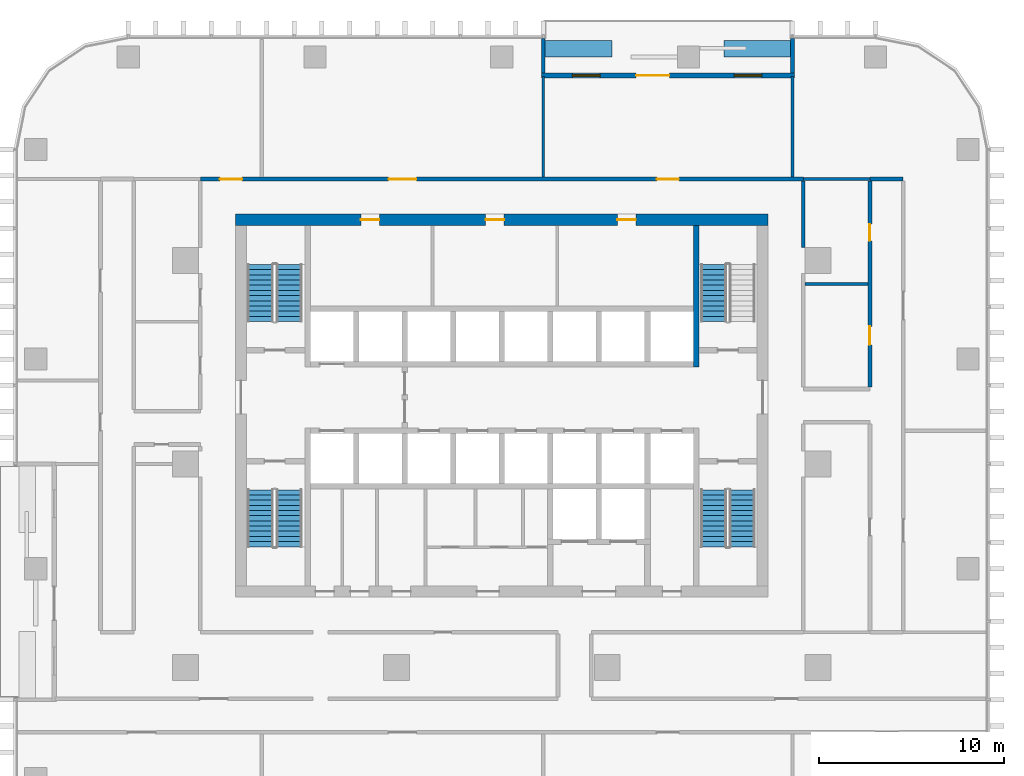
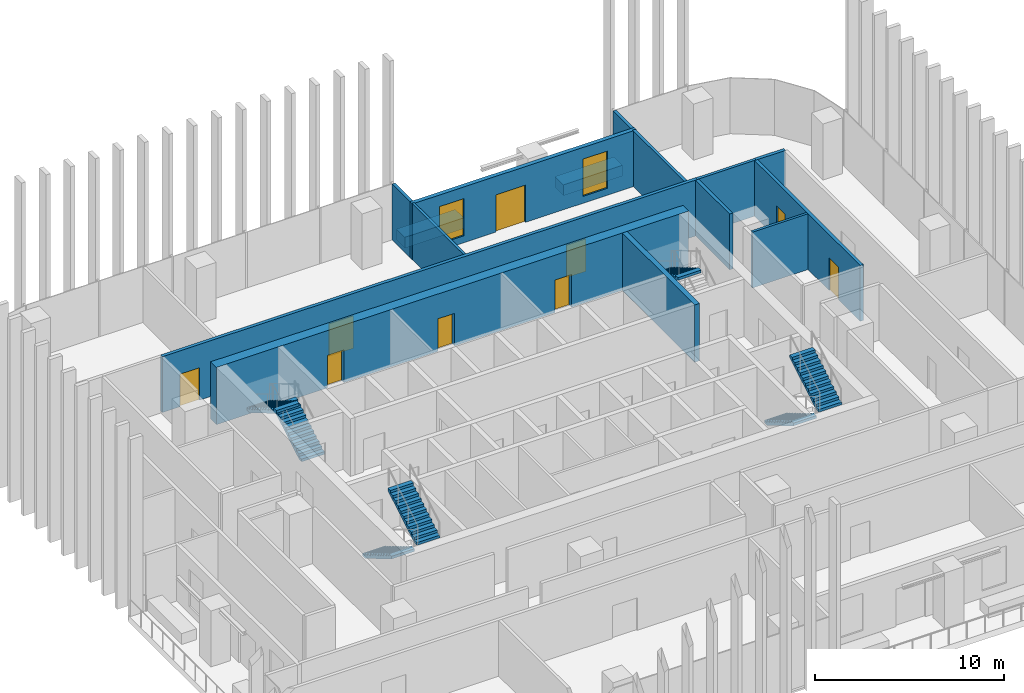
# One storey, part 10 of 16: 15 walls, 9 doors, 7 stair flights, 2 windows, 11 openings, 4 elements without a shape of their own.
"""IFC4 building model written with IfcOpenShell, lengths in metres."""

from ifc_helpers import new_model, si_unit, direction, frame, frame_2d, origin, place, context, subcontext, project, spatial, polyline, rectangle, outline, extrude, material, layer, layer_set, type_object, element, fill, aggregate, save


model = new_model("IFC4")

# Units and contexts
model_context = context("Model", 3, precision=1e-05, world=origin(), true_north=direction((0.0, 1.0)))
body_context = subcontext(model_context, "Body", "Model", "MODEL_VIEW")
ifc_project = project(units=[si_unit("LENGTHUNIT", "METRE"), si_unit("AREAUNIT", "SQUARE_METRE"), si_unit("VOLUMEUNIT", "CUBIC_METRE"), si_unit("PLANEANGLEUNIT", "RADIAN"), si_unit("MASSUNIT", "GRAM", prefix="KILO")], contexts=[model_context])

# Site, building, storey
site_placement = place(None, origin())
site = spatial("IfcSite", under=ifc_project, at=site_placement, CompositionType="ELEMENT")
building_placement = place(site_placement, origin())
building = spatial("IfcBuilding", under=site, at=building_placement, Name="Mopane Tessera Tower", CompositionType="ELEMENT")
storey_placement = place(building_placement, frame((0.0, 0.0, 193.0)))
storey = spatial("IfcBuildingStorey", under=building, at=storey_placement, Name="L40", CompositionType="ELEMENT", Elevation=193.0)

# Wall, openings, doors
ifc_material_1 = material(Name="Concrete C70/85", Category="concrete")
ifc_layer_1 = layer(ifc_material_1, 0.60009765625)
ifc_layer_set_1 = layer_set([ifc_layer_1], Name="Concrete C70/85")
wall_type_1 = type_object("IfcWallType", Name="Core shear wall 600 mm", PredefinedType="SHEAR", material=ifc_layer_set_1)
wall_1_placement = place(storey_placement, frame((-14.39990234375, 13.199951171875, 0.0), z_axis=(0.0, 0.0, 1.0), x_axis=(1.0, 0.0, 0.0)))
wall_1 = element("IfcWall", 1, at=wall_1_placement, inside=storey, type_object=wall_type_1, Name="L40 Core wall north", PredefinedType="SHEAR", context=body_context, shape_type="SweptSolid", body=[
    extrude(rectangle(XDim=28.7998046875, YDim=0.60009765625, at=frame_2d((14.39990234375, 0.0))), origin(), (0.0, 0.0, 1.0), 3.699951171875),
])
opening_1_placement = place(wall_1_placement, frame((6.77490234375, 0.0, 0.0)))
opening_1 = element("IfcOpeningElement", 2, at=opening_1_placement, cuts=wall_1, Name="Opening RD1", PredefinedType="OPENING", context=body_context, shape_type="SweptSolid", body=[
    extrude(rectangle(XDim=1.0, YDim=2.10009765625, at=frame_2d((0.5, 1.050048828125))), frame((0.0, 0.31201171875, 0.0), z_axis=(0.0, -1.0, 0.0), x_axis=(1.0, 0.0, 0.0)), (0.0, 0.0, 1.0), 0.6240234375),
])
opening_2_placement = place(wall_1_placement, frame((13.52490234375, 0.0, 0.0)))
opening_2 = element("IfcOpeningElement", 3, at=opening_2_placement, cuts=wall_1, Name="Opening RD1", PredefinedType="OPENING", context=body_context, shape_type="SweptSolid", body=[
    extrude(rectangle(XDim=1.0, YDim=2.10009765625, at=frame_2d((0.5, 1.050048828125))), frame((0.0, 0.31201171875, 0.0), z_axis=(0.0, -1.0, 0.0), x_axis=(1.0, 0.0, 0.0)), (0.0, 0.0, 1.0), 0.6240234375),
])
opening_3_placement = place(wall_1_placement, frame((20.64990234375, 0.0, 0.0)))
opening_3 = element("IfcOpeningElement", 4, at=opening_3_placement, cuts=wall_1, Name="Opening RD1", PredefinedType="OPENING", context=body_context, shape_type="SweptSolid", body=[
    extrude(rectangle(XDim=1.0, YDim=2.10009765625, at=frame_2d((0.5, 1.050048828125))), frame((0.0, 0.31201171875, 0.0), z_axis=(0.0, -1.0, 0.0), x_axis=(1.0, 0.0, 0.0)), (0.0, 0.0, 1.0), 0.6240234375),
])
ifc_material_2 = material(Name="Timber door", Category="wood")
door_type_1 = type_object("IfcDoorType", Name="Core room door 1000 x 2100", OperationType="SINGLE_SWING_LEFT", PredefinedType="DOOR", material=ifc_material_2)
door_1_placement = place(opening_1_placement, origin())
door_1 = element("IfcDoor", 5, at=door_1_placement, inside=storey, type_object=door_type_1, Name="L40 Room door", OperationType="SINGLE_SWING_LEFT", OverallHeight=2.10009765625, OverallWidth=1.0, PredefinedType="DOOR", context=body_context, shape_type="SweptSolid", body=[
    extrude(rectangle(XDim=1.0, YDim=2.10009765625, at=frame_2d((0.5, 1.050048828125))), frame((0.0, 0.02490234375, 0.0), z_axis=(0.0, -1.0, 0.0), x_axis=(1.0, 0.0, 0.0)), (0.0, 0.0, 1.0), 0.050048828125),
])
fill(opening_1, door_1)
door_2_placement = place(opening_2_placement, origin())
door_2 = element("IfcDoor", 6, at=door_2_placement, inside=storey, type_object=door_type_1, Name="L40 Room door", OperationType="SINGLE_SWING_LEFT", OverallHeight=2.10009765625, OverallWidth=1.0, PredefinedType="DOOR", context=body_context, shape_type="SweptSolid", body=[
    extrude(rectangle(XDim=1.0, YDim=2.10009765625, at=frame_2d((0.5, 1.050048828125))), frame((0.0, 0.02490234375, 0.0), z_axis=(0.0, -1.0, 0.0), x_axis=(1.0, 0.0, 0.0)), (0.0, 0.0, 1.0), 0.050048828125),
])
fill(opening_2, door_2)
door_3_placement = place(opening_3_placement, origin())
door_3 = element("IfcDoor", 7, at=door_3_placement, inside=storey, type_object=door_type_1, Name="L40 Room door", OperationType="SINGLE_SWING_LEFT", OverallHeight=2.10009765625, OverallWidth=1.0, PredefinedType="DOOR", context=body_context, shape_type="SweptSolid", body=[
    extrude(rectangle(XDim=1.0, YDim=2.10009765625, at=frame_2d((0.5, 1.050048828125))), frame((0.0, 0.02490234375, 0.0), z_axis=(0.0, -1.0, 0.0), x_axis=(1.0, 0.0, 0.0)), (0.0, 0.0, 1.0), 0.050048828125),
])
fill(opening_3, door_3)

# Walls
ifc_material_3 = material(Name="Concrete C60/75", Category="concrete")
ifc_layer_2 = layer(ifc_material_3, 0.300048828125)
ifc_layer_set_2 = layer_set([ifc_layer_2], Name="Concrete C60/75")
wall_type_2 = type_object("IfcWallType", Name="Core spine wall 300 mm", PredefinedType="SHEAR", material=ifc_layer_set_2)
wall_2_placement = place(storey_placement, frame((10.5, 5.25, 0.0), z_axis=(0.0, 0.0, 1.0), x_axis=(0.0, 1.0, 0.0)))
element("IfcWall", 8, at=wall_2_placement, inside=storey, type_object=wall_type_2, Name="L40 Core spine wall", PredefinedType="SHEAR", context=body_context, shape_type="SweptSolid", body=[
    extrude(rectangle(XDim=7.64990234375, YDim=0.300048828125, at=frame_2d((3.824951171875, 0.0))), origin(), (0.0, 0.0, 1.0), 3.699951171875),
])
ifc_material_4 = material(Name="Gypsum board on staggered steel studs, double layer each face, acoustic mineral wool infill", Category="steel")
ifc_layer_3 = layer(ifc_material_4, 0.175048828125)
ifc_layer_set_3 = layer_set([ifc_layer_3], Name="Gypsum board on staggered steel studs, double layer each face, acoustic mineral wool infill")
wall_type_3 = type_object("IfcWallType", Name="Gypsum board acoustic partition 175, rated EI 60", PredefinedType="PARTITIONING", material=ifc_layer_set_3)
wall_3_placement = place(storey_placement, frame((16.300048828125, 15.39990234375, 0.0), z_axis=(0.0, 0.0, 1.0), x_axis=(1.0, 0.0, 0.0)))
element("IfcWall", 9, at=wall_3_placement, inside=storey, type_object=wall_type_3, Name="Partition L40:023", PredefinedType="PARTITIONING", context=body_context, shape_type="SweptSolid", body=[
    extrude(rectangle(XDim=3.599853515625, YDim=0.175048828125, at=frame_2d((1.7998046875, 0.0))), origin(), (0.0, 0.0, 1.0), 3.60009765625),
])
wall_4_placement = place(storey_placement, frame((15.7099609375, 15.5, 0.0), z_axis=(0.0, 0.0, 1.0), x_axis=(0.0, 1.0, 0.0)))
element("IfcWall", 10, at=wall_4_placement, inside=storey, type_object=wall_type_3, Name="Partition L40:041", PredefinedType="PARTITIONING", context=body_context, shape_type="SweptSolid", body=[
    extrude(rectangle(XDim=5.449951171875, YDim=0.175048828125, at=frame_2d((2.72509765625, 0.0))), origin(), (0.0, 0.0, 1.0), 3.60009765625),
])

# Wall, openings, doors
ifc_material_5 = material(Name="Gypsum board on steel studs, two layers each face, mineral wool infill", Category="steel")
ifc_layer_4 = layer(ifc_material_5, 0.199951171875)
ifc_layer_set_4 = layer_set([ifc_layer_4], Name="Gypsum board on steel studs, two layers each face, mineral wool infill")
wall_type_4 = type_object("IfcWallType", Name="Gypsum board corridor wall 200, rated EI 60", PredefinedType="PARTITIONING", material=ifc_layer_set_4)
wall_5_placement = place(storey_placement, frame((-16.300048828125, 15.39990234375, 0.0), z_axis=(0.0, 0.0, 1.0), x_axis=(1.0, 0.0, 0.0)))
wall_5 = element("IfcWall", 11, at=wall_5_placement, inside=storey, type_object=wall_type_4, Name="Partition L40:025", PredefinedType="PARTITIONING", context=body_context, shape_type="SweptSolid", body=[
    extrude(rectangle(XDim=32.60009765625, YDim=0.199951171875, at=frame_2d((16.300048828125, 0.0))), origin(), (0.0, 0.0, 1.0), 3.60009765625),
])
opening_4_placement = place(wall_5_placement, frame((10.18505859375, 0.0, 0.0)))
opening_4 = element("IfcOpeningElement", 12, at=opening_4_placement, cuts=wall_5, Name="Opening L40-13", PredefinedType="OPENING", context=body_context, shape_type="SweptSolid", body=[
    extrude(rectangle(XDim=1.5, YDim=2.10009765625, at=frame_2d((0.75, 1.050048828125))), frame((0.0, 0.112060546875, 0.0), z_axis=(0.0, -1.0, 0.0), x_axis=(1.0, 0.0, 0.0)), (0.0, 0.0, 1.0), 0.223876953125),
])
opening_5_placement = place(wall_5_placement, frame((1.0625, 0.0, 0.0)))
opening_5 = element("IfcOpeningElement", 13, at=opening_5_placement, cuts=wall_5, Name="Opening L40-15", PredefinedType="OPENING", context=body_context, shape_type="SweptSolid", body=[
    extrude(rectangle(XDim=1.199951171875, YDim=2.10009765625, at=frame_2d((0.60009765625, 1.050048828125))), frame((0.0, 0.112060546875, 0.0), z_axis=(0.0, -1.0, 0.0), x_axis=(1.0, 0.0, 0.0)), (0.0, 0.0, 1.0), 0.223876953125),
])
opening_6_placement = place(wall_5_placement, frame((24.677490234375, 0.0, 0.0)))
opening_6 = element("IfcOpeningElement", 14, at=opening_6_placement, cuts=wall_5, Name="Opening L40-20", PredefinedType="OPENING", context=body_context, shape_type="SweptSolid", body=[
    extrude(rectangle(XDim=1.199951171875, YDim=2.10009765625, at=frame_2d((0.60009765625, 1.050048828125))), frame((0.0, 0.112060546875, 0.0), z_axis=(0.0, -1.0, 0.0), x_axis=(1.0, 0.0, 0.0)), (0.0, 0.0, 1.0), 0.223876953125),
])
ifc_material_6 = material(Name="Timber veneered steel-framed fire door", Category="steel")
door_type_2 = type_object("IfcDoorType", Name="Fire door FD60 1200 x 2100", OperationType="SINGLE_SWING_LEFT", PredefinedType="DOOR", material=ifc_material_6)
door_4_placement = place(opening_5_placement, origin())
door_4 = element("IfcDoor", 15, at=door_4_placement, inside=storey, type_object=door_type_2, Name="Door L40-15", ObjectType="D15A", OperationType="SINGLE_SWING_RIGHT", OverallHeight=2.10009765625, OverallWidth=1.199951171875, PredefinedType="DOOR", context=body_context, shape_type="SweptSolid", body=[
    extrude(rectangle(XDim=1.199951171875, YDim=2.10009765625, at=frame_2d((0.60009765625, 1.050048828125))), frame((0.0, 0.02490234375, 0.0), z_axis=(0.0, -1.0, 0.0), x_axis=(1.0, 0.0, 0.0)), (0.0, 0.0, 1.0), 0.050048828125),
])
fill(opening_5, door_4)
door_5_placement = place(opening_6_placement, origin())
door_5 = element("IfcDoor", 16, at=door_5_placement, inside=storey, type_object=door_type_2, Name="Door L40-20", ObjectType="D15A", OperationType="SINGLE_SWING_LEFT", OverallHeight=2.10009765625, OverallWidth=1.199951171875, PredefinedType="DOOR", context=body_context, shape_type="SweptSolid", body=[
    extrude(rectangle(XDim=1.199951171875, YDim=2.10009765625, at=frame_2d((0.60009765625, 1.050048828125))), frame((0.0, 0.02490234375, 0.0), z_axis=(0.0, -1.0, 0.0), x_axis=(1.0, 0.0, 0.0)), (0.0, 0.0, 1.0), 0.050048828125),
])
fill(opening_6, door_5)
ifc_material_7 = material(Name="Timber veneered steel-framed fire door", Category="steel")
door_type_3 = type_object("IfcDoorType", Name="Fire door pair FD60 1500 x 2100", OperationType="DOUBLE_DOOR_SINGLE_SWING", PredefinedType="DOOR", material=ifc_material_7)
door_6_placement = place(opening_4_placement, origin())
door_6 = element("IfcDoor", 17, at=door_6_placement, inside=storey, type_object=door_type_3, Name="Door L40-13", ObjectType="D17A", OperationType="DOUBLE_DOOR_SINGLE_SWING", OverallHeight=2.10009765625, OverallWidth=1.5, PredefinedType="DOOR", context=body_context, shape_type="SweptSolid", body=[
    extrude(rectangle(XDim=1.5, YDim=2.10009765625, at=frame_2d((0.75, 1.050048828125))), frame((0.0, 0.02490234375, 0.0), z_axis=(0.0, -1.0, 0.0), x_axis=(1.0, 0.0, 0.0)), (0.0, 0.0, 1.0), 0.050048828125),
])
fill(opening_4, door_6)

# Walls
wall_6_placement = place(storey_placement, frame((19.89990234375, 15.39990234375, 0.0), z_axis=(0.0, 0.0, 1.0), x_axis=(1.0, 0.0, 0.0)))
element("IfcWall", 18, at=wall_6_placement, inside=storey, type_object=wall_type_4, Name="Partition L40:026", PredefinedType="PARTITIONING", context=body_context, shape_type="SweptSolid", body=[
    extrude(rectangle(XDim=1.800048828125, YDim=0.199951171875, at=frame_2d((0.89990234375, 0.0))), origin(), (0.0, 0.0, 1.0), 3.60009765625),
])
wall_7_placement = place(storey_placement, frame((16.300048828125, 11.699951171875, 0.0), z_axis=(0.0, 0.0, 1.0), x_axis=(0.0, 1.0, 0.0)))
element("IfcWall", 19, at=wall_7_placement, inside=storey, type_object=wall_type_4, Name="Partition L40:045", PredefinedType="PARTITIONING", context=body_context, shape_type="SweptSolid", body=[
    extrude(rectangle(XDim=3.60009765625, YDim=0.199951171875, at=frame_2d((1.800048828125, 0.0))), origin(), (0.0, 0.0, 1.0), 3.60009765625),
])

# Wall, openings, doors
wall_8_placement = place(storey_placement, frame((19.89990234375, 4.14990234375, 0.0), z_axis=(0.0, 0.0, 1.0), x_axis=(0.0, 1.0, 0.0)))
wall_8 = element("IfcWall", 20, at=wall_8_placement, inside=storey, type_object=wall_type_4, Name="Partition L40:047", PredefinedType="PARTITIONING", context=body_context, shape_type="SweptSolid", body=[
    extrude(rectangle(XDim=11.150146484375, YDim=0.199951171875, at=frame_2d((5.5751953125, 0.0))), origin(), (0.0, 0.0, 1.0), 3.60009765625),
])
opening_7_placement = place(wall_8_placement, frame((7.91259765625, 0.0, 0.0)))
opening_7 = element("IfcOpeningElement", 21, at=opening_7_placement, cuts=wall_8, Name="Opening L40-03", PredefinedType="OPENING", context=body_context, shape_type="SweptSolid", body=[
    extrude(rectangle(XDim=0.89990234375, YDim=2.10009765625, at=frame_2d((0.449951171875, 1.050048828125))), frame((0.0, 0.112060546875, 0.0), z_axis=(0.0, -1.0, 0.0), x_axis=(1.0, 0.0, 0.0)), (0.0, 0.0, 1.0), 0.223876953125),
])
opening_8_placement = place(wall_8_placement, frame((2.28759765625, 0.0, 0.0)))
opening_8 = element("IfcOpeningElement", 22, at=opening_8_placement, cuts=wall_8, Name="Opening L40-07", PredefinedType="OPENING", context=body_context, shape_type="SweptSolid", body=[
    extrude(rectangle(XDim=1.0, YDim=2.10009765625, at=frame_2d((0.5, 1.050048828125))), frame((0.0, 0.112060546875, 0.0), z_axis=(0.0, -1.0, 0.0), x_axis=(1.0, 0.0, 0.0)), (0.0, 0.0, 1.0), 0.223876953125),
])
ifc_material_8 = material(Name="Timber veneered steel-framed fire door", Category="steel")
door_type_4 = type_object("IfcDoorType", Name="Fire door FD60 1000 x 2100", OperationType="SINGLE_SWING_LEFT", PredefinedType="DOOR", material=ifc_material_8)
door_7_placement = place(opening_8_placement, origin())
door_7 = element("IfcDoor", 23, at=door_7_placement, inside=storey, type_object=door_type_4, Name="Door L40-07", ObjectType="D12A", OperationType="SINGLE_SWING_RIGHT", OverallHeight=2.10009765625, OverallWidth=1.0, PredefinedType="DOOR", context=body_context, shape_type="SweptSolid", body=[
    extrude(rectangle(XDim=1.0, YDim=2.10009765625, at=frame_2d((0.5, 1.050048828125))), frame((0.0, 0.02490234375, 0.0), z_axis=(0.0, -1.0, 0.0), x_axis=(1.0, 0.0, 0.0)), (0.0, 0.0, 1.0), 0.050048828125),
])
fill(opening_8, door_7)
ifc_material_9 = material(Name="Timber veneered steel-framed fire door", Category="steel")
door_type_5 = type_object("IfcDoorType", Name="Fire door FD60 900 x 2100", OperationType="SINGLE_SWING_LEFT", PredefinedType="DOOR", material=ifc_material_9)
door_8_placement = place(opening_7_placement, origin())
door_8 = element("IfcDoor", 24, at=door_8_placement, inside=storey, type_object=door_type_5, Name="Door L40-03", ObjectType="D10A", OperationType="SINGLE_SWING_RIGHT", OverallHeight=2.10009765625, OverallWidth=0.89990234375, PredefinedType="DOOR", context=body_context, shape_type="SweptSolid", body=[
    extrude(rectangle(XDim=0.89990234375, YDim=2.10009765625, at=frame_2d((0.449951171875, 1.050048828125))), frame((0.0, 0.02490234375, 0.0), z_axis=(0.0, -1.0, 0.0), x_axis=(1.0, 0.0, 0.0)), (0.0, 0.0, 1.0), 0.050048828125),
])
fill(opening_7, door_8)

# Walls
ifc_material_10 = material(Name="Gypsum board on steel studs, mineral wool infill", Category="steel")
ifc_layer_5 = layer(ifc_material_10, 0.14990234375)
ifc_layer_set_5 = layer_set([ifc_layer_5], Name="Gypsum board on steel studs, mineral wool infill")
wall_type_5 = type_object("IfcWallType", Name="Gypsum board partition 150, rated EI 60", PredefinedType="PARTITIONING", material=ifc_layer_set_5)
wall_9_placement = place(storey_placement, frame((16.39990234375, 9.72509765625, 0.0), z_axis=(0.0, 0.0, 1.0), x_axis=(1.0, 0.0, 0.0)))
element("IfcWall", 25, at=wall_9_placement, inside=storey, type_object=wall_type_5, Name="Partition L40:020", PredefinedType="PARTITIONING", context=body_context, shape_type="SweptSolid", body=[
    extrude(rectangle(XDim=3.400146484375, YDim=0.14990234375, at=frame_2d((1.7001953125, 0.0))), origin(), (0.0, 0.0, 1.0), 3.60009765625),
])
wall_10_placement = place(storey_placement, frame((2.2451171875, 15.5, 0.0), z_axis=(0.0, 0.0, 1.0), x_axis=(0.0, 1.0, 0.0)))
element("IfcWall", 26, at=wall_10_placement, inside=storey, type_object=wall_type_5, Name="Partition L40:036", PredefinedType="PARTITIONING", context=body_context, shape_type="SweptSolid", body=[
    extrude(rectangle(XDim=5.449951171875, YDim=0.14990234375, at=frame_2d((2.72509765625, 0.0))), origin(), (0.0, 0.0, 1.0), 3.60009765625),
])
ifc_material_11 = material(Name="Reinforced concrete C32/40 with waterproofing", Category="concrete")
ifc_layer_6 = layer(ifc_material_11, 0.89990234375)
ifc_layer_set_6 = layer_set([ifc_layer_6], Name="Reinforced concrete C32/40 with waterproofing")
wall_type_6 = type_object("IfcWallType", Name="Planter trough 3600 x 900", PredefinedType="STANDARD", material=ifc_layer_set_6)
for number, where, z_axis, x_axis, name in (
    (27, (15.611083984375, 22.449951171875, 0.0), (0.0, 0.0, 1.0), (-1.0, 0.0, 0.0), "e:nw:L40:N3:pl0"),
    (28, (5.9443359375, 22.449951171875, 0.0), (0.0, 0.0, 1.0), (-1.0, 0.0, 0.0), "e:nw:L40:N3:pl1"),
):
    element("IfcWall", number, at=place(storey_placement, frame(where, z_axis=z_axis, x_axis=x_axis)), inside=storey, type_object=wall_type_6, Name=name, PredefinedType="STANDARD", context=body_context, shape_type="SweptSolid", body=[
        extrude(rectangle(XDim=3.599853515625, YDim=0.89990234375, at=frame_2d((1.7998046875, 0.0))), origin(), (0.0, 0.0, 1.0), 0.699951171875),
    ])
ifc_material_12 = material(Name="Blockwork with glazed tile facing", Category="masonry")
ifc_layer_7 = layer(ifc_material_12, 0.199951171875)
ifc_layer_set_7 = layer_set([ifc_layer_7], Name="Blockwork with glazed tile facing")
wall_type_7 = type_object("IfcWallType", Name="Terrace cheek wall 200", PredefinedType="STANDARD", material=ifc_layer_set_7)
for number, where, z_axis, x_axis, name in (
    (29, (15.711181640625, 23.0, 0.0), (0.0, 0.0, 1.0), (0.0, -1.0, 0.0), "e:nw:L40:N3:cheeka"),
    (30, (2.244384765625, 23.0, 0.0), (0.0, 0.0, 1.0), (0.0, -1.0, 0.0), "e:nw:L40:N3:cheekb"),
):
    element("IfcWall", number, at=place(storey_placement, frame(where, z_axis=z_axis, x_axis=x_axis)), inside=storey, type_object=wall_type_7, Name=name, PredefinedType="STANDARD", context=body_context, shape_type="SweptSolid", body=[
        extrude(rectangle(XDim=1.875, YDim=0.199951171875, at=frame_2d((0.9375, 0.0))), origin(), (0.0, 0.0, 1.0), 3.60009765625),
    ])

# Wall, openings, windows, door
ifc_material_13 = material(Name="Blockwork with turquoise glazed tile facing", Category="masonry")
ifc_layer_8 = layer(ifc_material_13, 0.25)
ifc_layer_set_8 = layer_set([ifc_layer_8], Name="Blockwork with turquoise glazed tile facing")
wall_type_8 = type_object("IfcWallType", Name="Tile-clad external wall 250, turquoise", PredefinedType="STANDARD", material=ifc_layer_set_8)
wall_11_placement = place(storey_placement, frame((15.81103515625, 21.0, 0.0), z_axis=(0.0, 0.0, 1.0), x_axis=(-1.0, 0.0, 0.0)))
wall_11 = element("IfcWall", 31, at=wall_11_placement, inside=storey, type_object=wall_type_8, Name="e:nw:L40:N3:back", PredefinedType="STANDARD", context=body_context, shape_type="SweptSolid", body=[
    extrude(rectangle(XDim=13.66650390625, YDim=0.25, at=frame_2d((6.833251953125, 0.0))), origin(), (0.0, 0.0, 1.0), 3.60009765625),
])
opening_9_placement = place(wall_11_placement, frame((1.75, 0.0, 0.449951171875)))
opening_9 = element("IfcOpeningElement", 32, at=opening_9_placement, cuts=wall_11, Name="Opening NW403A", PredefinedType="OPENING", context=body_context, shape_type="SweptSolid", body=[
    extrude(rectangle(XDim=1.5, YDim=2.39990234375, at=frame_2d((0.75, 1.199951171875))), frame((0.0, 0.136962890625, 0.0), z_axis=(0.0, -1.0, 0.0), x_axis=(1.0, 0.0, 0.0)), (0.0, 0.0, 1.0), 0.27392578125),
])
opening_10_placement = place(wall_11_placement, frame((6.75, 0.0, 0.0)))
opening_10 = element("IfcOpeningElement", 33, at=opening_10_placement, cuts=wall_11, Name="Opening ND403", PredefinedType="OPENING", context=body_context, shape_type="SweptSolid", body=[
    extrude(rectangle(XDim=1.800048828125, YDim=2.39990234375, at=frame_2d((0.89990234375, 1.199951171875))), frame((0.0, 0.136962890625, 0.0), z_axis=(0.0, -1.0, 0.0), x_axis=(1.0, 0.0, 0.0)), (0.0, 0.0, 1.0), 0.27392578125),
])
opening_11_placement = place(wall_11_placement, frame((10.5, 0.0, 0.449951171875)))
opening_11 = element("IfcOpeningElement", 34, at=opening_11_placement, cuts=wall_11, Name="Opening NW403B", PredefinedType="OPENING", context=body_context, shape_type="SweptSolid", body=[
    extrude(rectangle(XDim=1.5, YDim=2.39990234375, at=frame_2d((0.75, 1.199951171875))), frame((0.0, 0.136962890625, 0.0), z_axis=(0.0, -1.0, 0.0), x_axis=(1.0, 0.0, 0.0)), (0.0, 0.0, 1.0), 0.27392578125),
])
ifc_material_14 = material(Name="Clear laminated glass", Category="glass")
window_type = type_object("IfcWindowType", Name="Fixed window 1500 x 2400", PartitioningType="SINGLE_PANEL", PredefinedType="WINDOW", material=ifc_material_14)
window_1_placement = place(opening_9_placement, origin())
window_1 = element("IfcWindow", 35, at=window_1_placement, inside=storey, type_object=window_type, Name="e:nw:L40:N3:win0", OverallHeight=2.39990234375, OverallWidth=1.5, PartitioningType="SINGLE_PANEL", PredefinedType="WINDOW", context=body_context, shape_type="SweptSolid", body=[
    extrude(rectangle(XDim=1.5, YDim=2.39990234375, at=frame_2d((0.75, 1.199951171875))), frame((0.0, 0.030029296875, 0.0), z_axis=(0.0, -1.0, 0.0), x_axis=(1.0, 0.0, 0.0)), (0.0, 0.0, 1.0), 0.06005859375),
])
fill(opening_9, window_1)
window_2_placement = place(opening_11_placement, origin())
window_2 = element("IfcWindow", 36, at=window_2_placement, inside=storey, type_object=window_type, Name="e:nw:L40:N3:win2", OverallHeight=2.39990234375, OverallWidth=1.5, PartitioningType="SINGLE_PANEL", PredefinedType="WINDOW", context=body_context, shape_type="SweptSolid", body=[
    extrude(rectangle(XDim=1.5, YDim=2.39990234375, at=frame_2d((0.75, 1.199951171875))), frame((0.0, 0.030029296875, 0.0), z_axis=(0.0, -1.0, 0.0), x_axis=(1.0, 0.0, 0.0)), (0.0, 0.0, 1.0), 0.06005859375),
])
fill(opening_11, window_2)
ifc_material_15 = material(Name="Aluminium and clear glass", Category="aluminium")
door_type_6 = type_object("IfcDoorType", Name="Terrace double door 1800 x 2400", OperationType="DOUBLE_DOOR_SINGLE_SWING", PredefinedType="DOOR", material=ifc_material_15)
door_9_placement = place(opening_10_placement, origin())
door_9 = element("IfcDoor", 37, at=door_9_placement, inside=storey, type_object=door_type_6, Name="e:nw:L40:N3:door", ObjectType="D1", OperationType="DOUBLE_DOOR_SINGLE_SWING", OverallHeight=2.39990234375, OverallWidth=1.800048828125, PredefinedType="DOOR", context=body_context, shape_type="SweptSolid", body=[
    extrude(rectangle(XDim=1.800048828125, YDim=2.39990234375, at=frame_2d((0.89990234375, 1.199951171875))), frame((0.0, 0.02490234375, 0.0), z_axis=(0.0, -1.0, 0.0), x_axis=(1.0, 0.0, 0.0)), (0.0, 0.0, 1.0), 0.050048828125),
])
fill(opening_10, door_9)

# Stair, stair flights
ifc_material_16 = material(Name="Concrete C50/60", Category="concrete")
stair_type = type_object("IfcStairType", Name="Escape stair 1400 mm, riser 167 mm", PredefinedType="HALF_TURN_STAIR", material=ifc_material_16)
stair_1_placement = place(storey_placement, origin())
stair_1 = element("IfcStair", 38, at=stair_1_placement, inside=storey, type_object=stair_type, Name="L40 Escape stair south-west", PredefinedType="HALF_TURN_STAIR")
ifc_material_17 = material(Name="Concrete C50/60", Category="concrete")
stair_flight_type = type_object("IfcStairFlightType", Name="Escape stair flight 1400 mm", PredefinedType="STRAIGHT", material=ifc_material_17)
stair_flight_1_placement = place(storey_placement, frame((-13.050048828125, -1.39990234375, 0.0), z_axis=(0.0, 0.0, 1.0), x_axis=(0.0, -1.0, 0.0)))
stair_flight_1 = element("IfcStairFlight", 39, at=stair_flight_1_placement, type_object=stair_flight_type, Name="ST1 flight 1", NumberOfRisers=12, NumberOfTreads=11, PredefinedType="STRAIGHT", RiserHeight=0.166666667, TreadLength=0.28, context=body_context, shape_type="SweptSolid", body=[
    extrude(outline(polyline([(0.0, 0.0), (0.0, 0.166748046875), (0.280029296875, 0.166748046875), (0.280029296875, 0.333251953125), (0.56005859375, 0.333251953125), (0.56005859375, 0.5), (0.840087890625, 0.5), (0.840087890625, 0.666748046875), (1.1201171875, 0.666748046875), (1.1201171875, 0.833251953125), (1.39990234375, 0.833251953125), (1.39990234375, 1.0), (1.679931640625, 1.0), (1.679931640625, 1.166748046875), (1.9599609375, 1.166748046875), (1.9599609375, 1.333251953125), (2.239990234375, 1.333251953125), (2.239990234375, 1.5), (2.52001953125, 1.5), (2.52001953125, 1.666748046875), (2.800048828125, 1.666748046875), (2.800048828125, 1.833251953125), (3.080078125, 1.833251953125), (3.080078125, 2.0), (3.080078125, 1.658935546875), (0.29296875, 0.0), (0.0, 0.0)])), frame((0.0, 0.699951171875, 0.0), z_axis=(0.0, -1.0, 0.0), x_axis=(1.0, 0.0, 0.0)), (0.0, 0.0, 1.0), 1.39990234375),
])
stair_flight_2_placement = place(storey_placement, frame((-11.5, -4.47998046875, 2.0), z_axis=(0.0, 0.0, 1.0), x_axis=(0.0, 1.0, 0.0)))
stair_flight_2 = element("IfcStairFlight", 40, at=stair_flight_2_placement, type_object=stair_flight_type, Name="ST1 flight 2", NumberOfRisers=12, NumberOfTreads=11, PredefinedType="STRAIGHT", RiserHeight=0.166666667, TreadLength=0.28, context=body_context, shape_type="SweptSolid", body=[
    extrude(outline(polyline([(0.0, 0.0), (0.0, 0.166748046875), (0.280029296875, 0.166748046875), (0.280029296875, 0.333251953125), (0.56005859375, 0.333251953125), (0.56005859375, 0.5), (0.840087890625, 0.5), (0.840087890625, 0.666748046875), (1.1201171875, 0.666748046875), (1.1201171875, 0.833251953125), (1.39990234375, 0.833251953125), (1.39990234375, 1.0), (1.679931640625, 1.0), (1.679931640625, 1.166748046875), (1.9599609375, 1.166748046875), (1.9599609375, 1.333251953125), (2.239990234375, 1.333251953125), (2.239990234375, 1.5), (2.52001953125, 1.5), (2.52001953125, 1.666748046875), (2.800048828125, 1.666748046875), (2.800048828125, 1.833251953125), (3.080078125, 1.833251953125), (3.080078125, 2.0), (3.080078125, 1.658935546875), (0.29296875, 0.0), (0.0, 0.0)])), frame((0.0, 0.699951171875, 0.0), z_axis=(0.0, -1.0, 0.0), x_axis=(1.0, 0.0, 0.0)), (0.0, 0.0, 1.0), 1.39990234375),
])
aggregate(stair_1, [stair_flight_1, stair_flight_2])

stair_2_placement = place(storey_placement, origin())
stair_2 = element("IfcStair", 41, at=stair_2_placement, inside=storey, type_object=stair_type, Name="L40 Escape stair north-west", PredefinedType="HALF_TURN_STAIR")
stair_flight_3_placement = place(storey_placement, frame((-11.5, 7.699951171875, 0.0), z_axis=(0.0, 0.0, 1.0), x_axis=(0.0, 1.0, 0.0)))
stair_flight_3 = element("IfcStairFlight", 42, at=stair_flight_3_placement, type_object=stair_flight_type, Name="ST2 flight 1", NumberOfRisers=12, NumberOfTreads=11, PredefinedType="STRAIGHT", RiserHeight=0.166666667, TreadLength=0.28, context=body_context, shape_type="SweptSolid", body=[
    extrude(outline(polyline([(0.0, 0.0), (0.0, 0.166748046875), (0.280029296875, 0.166748046875), (0.280029296875, 0.333251953125), (0.56005859375, 0.333251953125), (0.56005859375, 0.5), (0.840087890625, 0.5), (0.840087890625, 0.666748046875), (1.1201171875, 0.666748046875), (1.1201171875, 0.833251953125), (1.39990234375, 0.833251953125), (1.39990234375, 1.0), (1.679931640625, 1.0), (1.679931640625, 1.166748046875), (1.9599609375, 1.166748046875), (1.9599609375, 1.333251953125), (2.239990234375, 1.333251953125), (2.239990234375, 1.5), (2.52001953125, 1.5), (2.52001953125, 1.666748046875), (2.800048828125, 1.666748046875), (2.800048828125, 1.833251953125), (3.080078125, 1.833251953125), (3.080078125, 2.0), (3.080078125, 1.658935546875), (0.29296875, 0.0), (0.0, 0.0)])), frame((0.0, 0.699951171875, 0.0), z_axis=(0.0, -1.0, 0.0), x_axis=(1.0, 0.0, 0.0)), (0.0, 0.0, 1.0), 1.39990234375),
])
stair_flight_4_placement = place(storey_placement, frame((-13.050048828125, 10.780029296875, 2.0), z_axis=(0.0, 0.0, 1.0), x_axis=(0.0, -1.0, 0.0)))
stair_flight_4 = element("IfcStairFlight", 43, at=stair_flight_4_placement, type_object=stair_flight_type, Name="ST2 flight 2", NumberOfRisers=12, NumberOfTreads=11, PredefinedType="STRAIGHT", RiserHeight=0.166666667, TreadLength=0.28, context=body_context, shape_type="SweptSolid", body=[
    extrude(outline(polyline([(0.0, 0.0), (0.0, 0.166748046875), (0.280029296875, 0.166748046875), (0.280029296875, 0.333251953125), (0.56005859375, 0.333251953125), (0.56005859375, 0.5), (0.840087890625, 0.5), (0.840087890625, 0.666748046875), (1.1201171875, 0.666748046875), (1.1201171875, 0.833251953125), (1.39990234375, 0.833251953125), (1.39990234375, 1.0), (1.679931640625, 1.0), (1.679931640625, 1.166748046875), (1.9599609375, 1.166748046875), (1.9599609375, 1.333251953125), (2.239990234375, 1.333251953125), (2.239990234375, 1.5), (2.52001953125, 1.5), (2.52001953125, 1.666748046875), (2.800048828125, 1.666748046875), (2.800048828125, 1.833251953125), (3.080078125, 1.833251953125), (3.080078125, 2.0), (3.080078125, 1.658935546875), (0.29296875, 0.0), (0.0, 0.0)])), frame((0.0, 0.699951171875, 0.0), z_axis=(0.0, -1.0, 0.0), x_axis=(1.0, 0.0, 0.0)), (0.0, 0.0, 1.0), 1.39990234375),
])
aggregate(stair_2, [stair_flight_3, stair_flight_4])

stair_3_placement = place(storey_placement, origin())
stair_3 = element("IfcStair", 44, at=stair_3_placement, inside=storey, type_object=stair_type, Name="L40 Escape stair south-east", PredefinedType="HALF_TURN_STAIR")
stair_flight_5_placement = place(storey_placement, frame((11.449951171875, -1.39990234375, 0.0), z_axis=(0.0, 0.0, 1.0), x_axis=(0.0, -1.0, 0.0)))
stair_flight_5 = element("IfcStairFlight", 45, at=stair_flight_5_placement, type_object=stair_flight_type, Name="ST3 flight 1", NumberOfRisers=12, NumberOfTreads=11, PredefinedType="STRAIGHT", RiserHeight=0.166666667, TreadLength=0.28, context=body_context, shape_type="SweptSolid", body=[
    extrude(outline(polyline([(0.0, 0.0), (0.0, 0.166748046875), (0.280029296875, 0.166748046875), (0.280029296875, 0.333251953125), (0.56005859375, 0.333251953125), (0.56005859375, 0.5), (0.840087890625, 0.5), (0.840087890625, 0.666748046875), (1.1201171875, 0.666748046875), (1.1201171875, 0.833251953125), (1.39990234375, 0.833251953125), (1.39990234375, 1.0), (1.679931640625, 1.0), (1.679931640625, 1.166748046875), (1.9599609375, 1.166748046875), (1.9599609375, 1.333251953125), (2.239990234375, 1.333251953125), (2.239990234375, 1.5), (2.52001953125, 1.5), (2.52001953125, 1.666748046875), (2.800048828125, 1.666748046875), (2.800048828125, 1.833251953125), (3.080078125, 1.833251953125), (3.080078125, 2.0), (3.080078125, 1.658935546875), (0.29296875, 0.0), (0.0, 0.0)])), frame((0.0, 0.699951171875, 0.0), z_axis=(0.0, -1.0, 0.0), x_axis=(1.0, 0.0, 0.0)), (0.0, 0.0, 1.0), 1.39990234375),
])
stair_flight_6_placement = place(storey_placement, frame((13.0, -4.47998046875, 2.0), z_axis=(0.0, 0.0, 1.0), x_axis=(0.0, 1.0, 0.0)))
stair_flight_6 = element("IfcStairFlight", 46, at=stair_flight_6_placement, type_object=stair_flight_type, Name="ST3 flight 2", NumberOfRisers=12, NumberOfTreads=11, PredefinedType="STRAIGHT", RiserHeight=0.166666667, TreadLength=0.28, context=body_context, shape_type="SweptSolid", body=[
    extrude(outline(polyline([(0.0, 0.0), (0.0, 0.166748046875), (0.280029296875, 0.166748046875), (0.280029296875, 0.333251953125), (0.56005859375, 0.333251953125), (0.56005859375, 0.5), (0.840087890625, 0.5), (0.840087890625, 0.666748046875), (1.1201171875, 0.666748046875), (1.1201171875, 0.833251953125), (1.39990234375, 0.833251953125), (1.39990234375, 1.0), (1.679931640625, 1.0), (1.679931640625, 1.166748046875), (1.9599609375, 1.166748046875), (1.9599609375, 1.333251953125), (2.239990234375, 1.333251953125), (2.239990234375, 1.5), (2.52001953125, 1.5), (2.52001953125, 1.666748046875), (2.800048828125, 1.666748046875), (2.800048828125, 1.833251953125), (3.080078125, 1.833251953125), (3.080078125, 2.0), (3.080078125, 1.658935546875), (0.29296875, 0.0), (0.0, 0.0)])), frame((0.0, 0.699951171875, 0.0), z_axis=(0.0, -1.0, 0.0), x_axis=(1.0, 0.0, 0.0)), (0.0, 0.0, 1.0), 1.39990234375),
])
aggregate(stair_3, [stair_flight_5, stair_flight_6])

# Stair, stair flight
stair_4_placement = place(storey_placement, origin())
stair_4 = element("IfcStair", 47, at=stair_4_placement, inside=storey, type_object=stair_type, Name="L40 Escape stair north-east", PredefinedType="HALF_TURN_STAIR")
stair_flight_7_placement = place(storey_placement, frame((11.449951171875, 10.780029296875, 2.0), z_axis=(0.0, 0.0, 1.0), x_axis=(0.0, -1.0, 0.0)))
stair_flight_7 = element("IfcStairFlight", 48, at=stair_flight_7_placement, type_object=stair_flight_type, Name="ST4 flight 2", NumberOfRisers=12, NumberOfTreads=11, PredefinedType="STRAIGHT", RiserHeight=0.166666667, TreadLength=0.28, context=body_context, shape_type="SweptSolid", body=[
    extrude(outline(polyline([(0.0, 0.0), (0.0, 0.166748046875), (0.280029296875, 0.166748046875), (0.280029296875, 0.333251953125), (0.56005859375, 0.333251953125), (0.56005859375, 0.5), (0.840087890625, 0.5), (0.840087890625, 0.666748046875), (1.1201171875, 0.666748046875), (1.1201171875, 0.833251953125), (1.39990234375, 0.833251953125), (1.39990234375, 1.0), (1.679931640625, 1.0), (1.679931640625, 1.166748046875), (1.9599609375, 1.166748046875), (1.9599609375, 1.333251953125), (2.239990234375, 1.333251953125), (2.239990234375, 1.5), (2.52001953125, 1.5), (2.52001953125, 1.666748046875), (2.800048828125, 1.666748046875), (2.800048828125, 1.833251953125), (3.080078125, 1.833251953125), (3.080078125, 2.0), (3.080078125, 1.658935546875), (0.29296875, 0.0), (0.0, 0.0)])), frame((0.0, 0.699951171875, 0.0), z_axis=(0.0, -1.0, 0.0), x_axis=(1.0, 0.0, 0.0)), (0.0, 0.0, 1.0), 1.39990234375),
])
aggregate(stair_4, [stair_flight_7])

save(model, "model.ifc")
